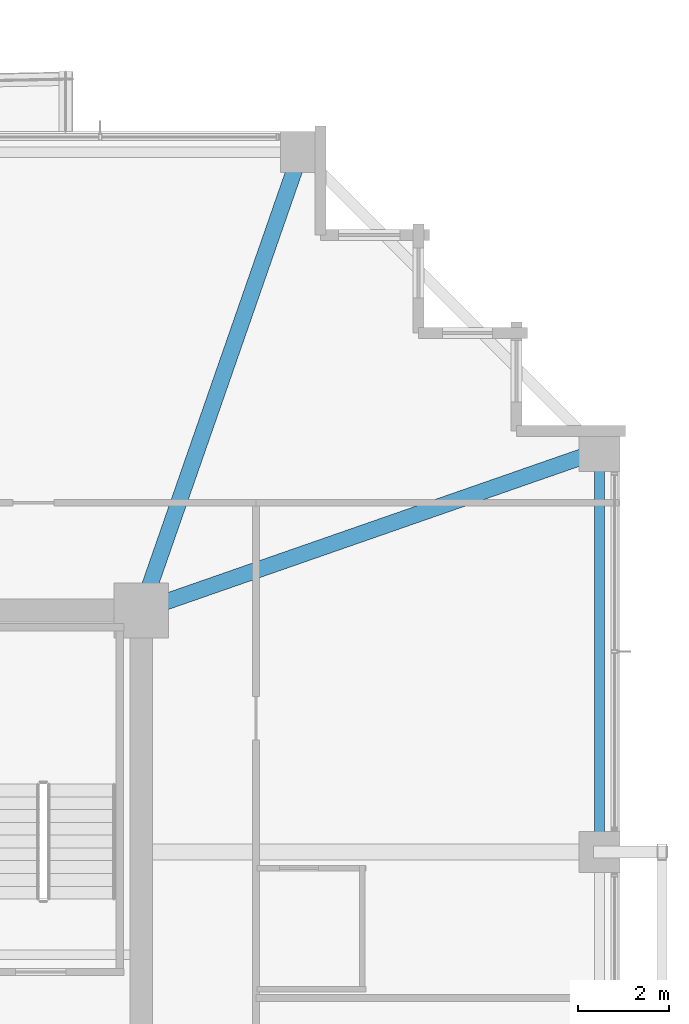
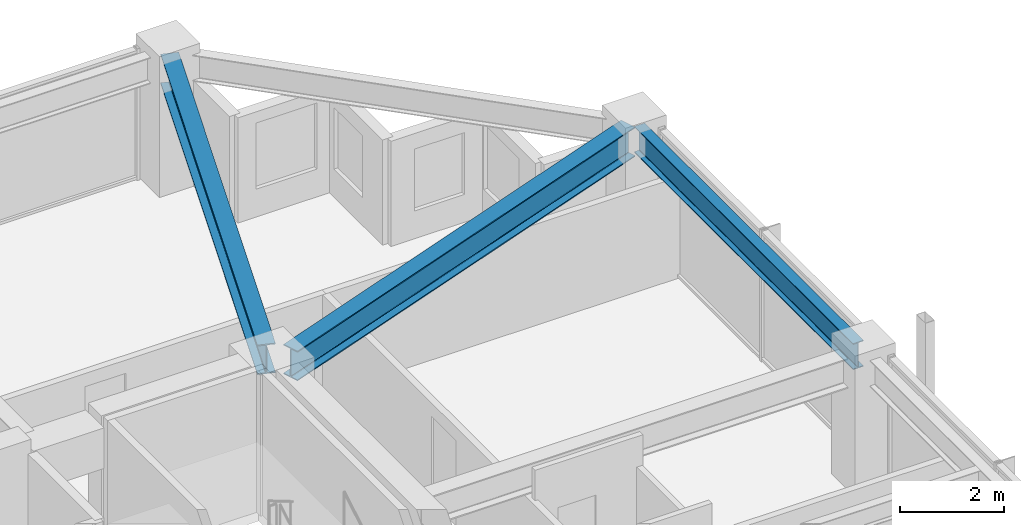
# One storey, part 22 of 37: 3 beams.
"""IFC4 building model written with IfcOpenShell, lengths in metres."""

import ifcopenshell
import ifcopenshell.guid

model = None  # the IFC model being written
_history = None  # IfcOwnerHistory: only IFC2X3 demands one
_inside = {}  # id of a spatial element -> (the spatial element, [elements in it])
_under = {}  # id of a project, library or spatial element -> (it, [spatial elements below it])
_declared = {}  # id of a project -> (the project, [libraries it declares])
_typed = {}  # id of a type object -> (the type object, [elements of that type])
_made_of = {}  # id of a material, layer set ... -> (it, [elements and type objects made of it])


def new_model(schema):
    """Start an empty IFC model of exactly this schema.

    Asked for "IFC4X3", IfcOpenShell would pick the latest addendum, in which some entities
    have other attributes; the version numbers below select the first issue.
    IFC2X3 requires an IfcOwnerHistory on every rooted entity: one is made here for all.
    """
    global model, _history
    if schema == "IFC4X3":
        model = ifcopenshell.file(schema_version=(4, 3, 0, 0))
    else:
        model = ifcopenshell.file(schema=schema)
    _inside.clear()
    _under.clear()
    _declared.clear()
    _typed.clear()
    _made_of.clear()
    _history = None
    if model.schema == "IFC2X3":
        org = make("IfcOrganization", Name="unknown")
        user = make(
            "IfcPersonAndOrganization",
            ThePerson=make("IfcPerson", FamilyName="unknown"),
            TheOrganization=org,
        )
        app = make(
            "IfcApplication",
            ApplicationDeveloper=org,
            Version="unknown",
            ApplicationFullName="unknown",
            ApplicationIdentifier="unknown",
        )
        _history = make(
            "IfcOwnerHistory",
            OwningUser=user,
            OwningApplication=app,
            ChangeAction="ADDED",
            CreationDate=0,
        )
    return model


def make(cls, **values):
    """One entity of the class cls with the attributes given. An attribute that is None is left unset."""
    return model.create_entity(
        cls, **{name: value for name, value in values.items() if value is not None}
    )


def rooted(cls, **values):
    """An entity with a GlobalId (a new one), such as an element, a storey or a relation."""
    return make(cls, GlobalId=ifcopenshell.guid.new(), OwnerHistory=_history, **values)


def si_unit(unit_type, name, prefix=None):
    """IfcSIUnit, for example si_unit("LENGTHUNIT", "METRE", prefix="MILLI")."""
    return make("IfcSIUnit", UnitType=unit_type, Prefix=prefix, Name=name)


def assignment(units):
    """IfcUnitAssignment: the units of a project."""
    return None if units is None else make("IfcUnitAssignment", Units=units)


def point(xyz):
    """IfcCartesianPoint."""
    return None if xyz is None else make("IfcCartesianPoint", Coordinates=xyz)


def direction(xyz):
    """IfcDirection."""
    return None if xyz is None else make("IfcDirection", DirectionRatios=xyz)


def frame(location, z_axis=None, x_axis=None):
    """IfcAxis2Placement3D, a coordinate frame: its origin and axes. An axis left out is left unset."""
    return make(
        "IfcAxis2Placement3D",
        Location=point(location),
        Axis=direction(z_axis),
        RefDirection=direction(x_axis),
    )


def frame_2d(location, x_axis=None):
    """IfcAxis2Placement2D, a coordinate frame in the plane: its origin and x axis."""
    return make(
        "IfcAxis2Placement2D", Location=point(location), RefDirection=direction(x_axis)
    )


def origin():
    """The frame at (0, 0, 0) with its axes left unset."""
    return frame((0.0, 0.0, 0.0))


def origin_2d():
    """The frame at (0, 0) in the plane with its x axis left unset."""
    return frame_2d((0.0, 0.0))


def place(relative_to, where):
    """IfcLocalPlacement: puts the frame where relative to a parent placement (None: the world)."""
    return make(
        "IfcLocalPlacement", PlacementRelTo=relative_to, RelativePlacement=where
    )


def context(
    kind, dimensions, precision=None, world=None, true_north=None, identifier=None
):
    """IfcGeometricRepresentationContext, for example the 3D "Model" context."""
    return make(
        "IfcGeometricRepresentationContext",
        ContextIdentifier=identifier,
        ContextType=kind,
        CoordinateSpaceDimension=dimensions,
        Precision=precision,
        WorldCoordinateSystem=world,
        TrueNorth=true_north,
    )


def subcontext(parent, identifier, kind, view, scale=None):
    """IfcGeometricRepresentationSubContext, for example "Body" below "Model"."""
    return make(
        "IfcGeometricRepresentationSubContext",
        ContextIdentifier=identifier,
        ContextType=kind,
        ParentContext=parent,
        TargetScale=scale,
        TargetView=view,
    )


def project(units=None, contexts=None):
    """IfcProject with its units and contexts."""
    return rooted(
        "IfcProject",
        Name="project",
        RepresentationContexts=contexts,
        UnitsInContext=assignment(units),
    )


def spatial(cls, under=None, at=None, **own):
    """A site, building, storey or space (cls), placed at a placement, below another one or the project."""
    s = rooted(cls, ObjectPlacement=at, **own)
    if under is not None:
        _under.setdefault(under.id(), (under, []))[1].append(s)
    return s


def profile(cls, at=None, kind="AREA", **sizes):
    """A parametric profile (cls). Its sizes go by their IFC names, for example OverallWidth=200.0."""
    return make(cls, ProfileType=kind, Position=at, **sizes)


def i_section(**sizes):
    """IfcIShapeProfileDef."""
    return profile("IfcIShapeProfileDef", **sizes)


def extrude(swept, where, along, depth):
    """IfcExtrudedAreaSolid: the profile swept, set in the frame where, extruded along a direction by depth."""
    return make(
        "IfcExtrudedAreaSolid",
        SweptArea=swept,
        Position=where,
        ExtrudedDirection=direction(along),
        Depth=depth,
    )


def shape(context_of_items, identifier, shape_type, items):
    """IfcShapeRepresentation: the items that make up one representation, for example the "Body"."""
    return make(
        "IfcShapeRepresentation",
        ContextOfItems=context_of_items,
        RepresentationIdentifier=identifier,
        RepresentationType=shape_type,
        Items=items,
    )


def material(Name=None, Category=None):
    """IfcMaterial."""
    return make("IfcMaterial", Name=Name, Category=Category)


def material_profile(
    of_material, cross_section, Name=None, Category=None, Priority=None
):
    """IfcMaterialProfile: a cross section and its material."""
    return make(
        "IfcMaterialProfile",
        Name=Name,
        Material=of_material,
        Profile=cross_section,
        Priority=Priority,
        Category=Category,
    )


def profile_set(profiles, Name=None, composite=None):
    """IfcMaterialProfileSet."""
    return make(
        "IfcMaterialProfileSet",
        Name=Name,
        MaterialProfiles=profiles,
        CompositeProfile=composite,
    )


def made_of(thing, what):
    """Note that an element or type object is made of a material, layer set ...; save() writes the relation."""
    if what is not None:
        _made_of.setdefault(what.id(), (what, []))[1].append(thing)
    return thing


def type_object(cls, material=None, **own):
    """A type object (cls), such as IfcWallType, which elements share."""
    return made_of(rooted(cls, **own), material)


def element(
    cls,
    number,
    at=None,
    inside=None,
    cuts=None,
    type_object=None,
    material=None,
    context=None,
    identifier="Body",
    shape_type=None,
    held_by="IfcProductDefinitionShape",
    body=None,
    shapes=None,
    **own,
):
    """One element of the class cls, such as IfcWall. Its Tag is "e" and its number.

    at: its placement. inside: the storey or other place that contains it. cuts: it is an
    opening in that element (IfcRelVoidsElement). A single representation is given by context,
    identifier, shape_type and body (its items); several are given by shapes. held_by: the class
    of the entity that holds the representations. save() writes the other relations.
    """
    e = rooted(cls, Tag="e%d" % number, ObjectPlacement=at, **own)
    if body is not None:
        shapes = [shape(context, identifier, shape_type, body)]
    if shapes is not None:
        e.Representation = make(held_by, Representations=shapes)
    if inside is not None:
        _inside.setdefault(inside.id(), (inside, []))[1].append(e)
    if cuts is not None:
        rooted(
            "IfcRelVoidsElement", RelatingBuildingElement=cuts, RelatedOpeningElement=e
        )
    if type_object is not None:
        _typed.setdefault(type_object.id(), (type_object, []))[1].append(e)
    return made_of(e, material)


def aggregate(whole, parts):
    """IfcRelAggregates: a whole, such as a stair, and the parts it consists of."""
    return rooted("IfcRelAggregates", RelatingObject=whole, RelatedObjects=parts)


def save(model, path):
    """Write the relations noted so far, then the file.

    IfcRelAggregates (storeys below a building ...), IfcRelContainedInSpatialStructure (elements
    in a storey), IfcRelDefinesByType, IfcRelAssociatesMaterial and IfcRelDeclares: one each for
    every whole, place, type object, material and project.
    """
    for whole, parts in _under.values():
        aggregate(whole, parts)
    for where, things in _inside.values():
        rooted(
            "IfcRelContainedInSpatialStructure",
            RelatedElements=things,
            RelatingStructure=where,
        )
    for kind, things in _typed.values():
        rooted("IfcRelDefinesByType", RelatedObjects=things, RelatingType=kind)
    for what, things in _made_of.values():
        rooted("IfcRelAssociatesMaterial", RelatedObjects=things, RelatingMaterial=what)
    for by, libraries in _declared.values():
        rooted("IfcRelDeclares", RelatingContext=by, RelatedDefinitions=libraries)
    model.write(path)


model = new_model("IFC4")

# Units and contexts
model_context = context("Model", 3, precision=1e-05, world=origin(), true_north=direction((0.0, 1.0)))
body_context = subcontext(model_context, "Body", "Model", "MODEL_VIEW")
ifc_project = project(units=[si_unit("LENGTHUNIT", "METRE"), si_unit("AREAUNIT", "SQUARE_METRE"), si_unit("VOLUMEUNIT", "CUBIC_METRE"), si_unit("PLANEANGLEUNIT", "RADIAN"), si_unit("MASSUNIT", "GRAM", prefix="KILO")], contexts=[model_context])

# Site, building, storey
site_placement = place(None, origin())
site = spatial("IfcSite", under=ifc_project, at=site_placement, CompositionType="ELEMENT")
building_placement = place(site_placement, origin())
building = spatial("IfcBuilding", under=site, at=building_placement, Name="Kolvaren Belvedere", CompositionType="ELEMENT")
storey_placement = place(building_placement, frame((0.0, 0.0, 173.39990234375)))
storey = spatial("IfcBuildingStorey", under=building, at=storey_placement, Name="L50", CompositionType="ELEMENT", Elevation=173.39990234375)

# Beams
ifc_material_1 = material(Name="Structural steel ASTM A992 Grade 50", Category="steel")
ifc_material_profile_1 = material_profile(ifc_material_1, i_section(OverallWidth=0.35498046875, OverallDepth=0.696044921875, WebThickness=0.015380859375, FlangeThickness=0.02490234375, FilletRadius=0.02197265625, at=origin_2d()), Name="W27X146")
ifc_profile_set_1 = profile_set([ifc_material_profile_1], Name="Structural steel ASTM A992 Grade 50")
beam_type_1 = type_object("IfcBeamType", Name="BM-GIRD-W27X146", PredefinedType="BEAM", material=ifc_profile_set_1)
for number, where, z_axis, x_axis, name in (
    (1, (10.080810546875, 10.41943359375, 2.732177734375), (0.328894130701, 0.944366798861, 0.0), (-0.944366798861, 0.328894130701, 0.0), "L50 Corner Core-to-Perimeter Girder CC3-N4"),
    (2, (10.41943359375, 10.080810546875, 2.732177734375), (0.944366798861, 0.328894130701, 0.0), (-0.328894130701, 0.944366798861, 0.0), "L50 Corner Core-to-Perimeter Girder CC3-E4"),
):
    element("IfcBeam", number, at=place(storey_placement, frame(where, z_axis=z_axis, x_axis=x_axis)), inside=storey, type_object=beam_type_1, Name=name, PredefinedType="BEAM", context=body_context, shape_type="SweptSolid", body=[
        extrude(i_section(OverallWidth=0.35498046875, OverallDepth=0.696044921875, WebThickness=0.015380859375, FlangeThickness=0.02490234375, FilletRadius=0.02197265625, at=origin_2d()), origin(), (0.0, 0.0, 1.0), 9.912109375),
    ])
ifc_material_2 = material(Name="Structural steel ASTM A992 Grade 50", Category="steel")
ifc_material_profile_2 = material_profile(ifc_material_2, i_section(OverallWidth=0.22900390625, OverallDepth=0.612060546875, WebThickness=0.011962890625, FlangeThickness=0.01953125, FilletRadius=0.01806640625, at=origin_2d()), Name="W24X84")
ifc_profile_set_2 = profile_set([ifc_material_profile_2], Name="Structural steel ASTM A992 Grade 50")
beam_type_2 = type_object("IfcBeamType", Name="BM-SPAN-W24X84", PredefinedType="SPANDREL", material=ifc_profile_set_2)
beam_placement = place(storey_placement, frame((19.949951171875, 4.802490234375, 2.774169921875), z_axis=(0.0, 1.0, 0.0), x_axis=(-1.0, 0.0, 0.0)))
element("IfcBeam", 3, at=beam_placement, inside=storey, type_object=beam_type_2, Name="L50 Perimeter Spandrel E3-E4", PredefinedType="SPANDREL", context=body_context, shape_type="SweptSolid", body=[
    extrude(i_section(OverallWidth=0.22900390625, OverallDepth=0.612060546875, WebThickness=0.011962890625, FlangeThickness=0.01953125, FilletRadius=0.01806640625, at=origin_2d()), origin(), (0.0, 0.0, 1.0), 8.39501953125),
])

save(model, "model.ifc")
